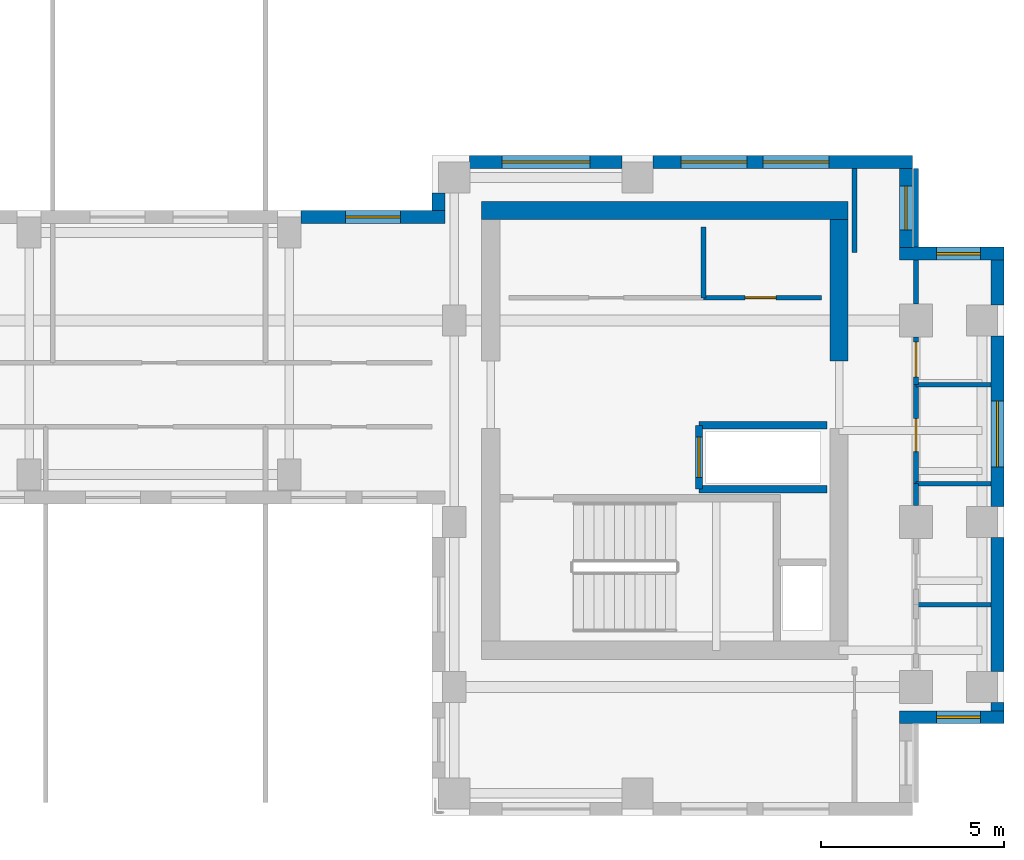
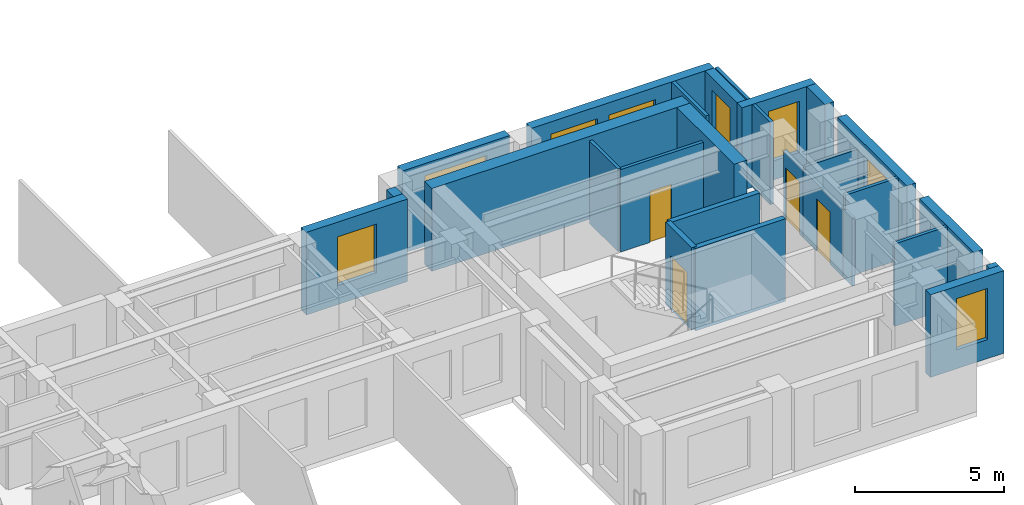
# One storey, part 7 of 10: 27 walls, 8 windows, 4 doors, 12 openings.
"""IFC4 building model written with IfcOpenShell, lengths in metres."""

from ifc_helpers import new_model, si_unit, direction, frame, frame_2d, origin, place, context, subcontext, project, spatial, rectangle, extrude, source, transform, mapped, material, layer, layer_set, type_object, element, fill, save


model = new_model("IFC4")

# Units and contexts
model_context = context("Model", 3, precision=1e-05, world=origin(), true_north=direction((0.0, 1.0)))
body_context = subcontext(model_context, "Body", "Model", "MODEL_VIEW")
ifc_project = project(units=[si_unit("LENGTHUNIT", "METRE"), si_unit("AREAUNIT", "SQUARE_METRE"), si_unit("VOLUMEUNIT", "CUBIC_METRE"), si_unit("PLANEANGLEUNIT", "RADIAN"), si_unit("MASSUNIT", "GRAM", prefix="KILO")], contexts=[model_context])

# Site, building, storey
site_placement = place(None, origin())
site = spatial("IfcSite", under=ifc_project, at=site_placement, CompositionType="ELEMENT")
building_placement = place(site_placement, origin())
building = spatial("IfcBuilding", under=site, at=building_placement, Name="Kharzan Plaza Tower", CompositionType="ELEMENT")
storey_placement = place(building_placement, frame((0.0, 0.0, 230.39990234375)))
storey = spatial("IfcBuildingStorey", under=building, at=storey_placement, Name="L62", CompositionType="ELEMENT", Elevation=230.39990234375)

# Wall, opening, window
ifc_material_1 = material(Name="Concrete C40/50", Category="concrete")
ifc_layer_1 = layer(ifc_material_1, 0.35009765625)
ifc_layer_set_1 = layer_set([ifc_layer_1], Name="Concrete C40/50")
wall_type_1 = type_object("IfcWallType", Name="WL-EXT-MAS-Z4", PredefinedType="SOLIDWALL", material=ifc_layer_set_1)
wall_1_placement = place(storey_placement, frame((47.14990234375, 2.675048828125, 0.0), z_axis=(0.0, 0.0, 1.0), x_axis=(1.0, 0.0, 0.0)))
wall_1 = element("IfcWall", 1, at=wall_1_placement, inside=storey, type_object=wall_type_1, Name="L62 Masonry-Frame Exterior Wall 38", PredefinedType="SOLIDWALL", context=body_context, shape_type="SweptSolid", body=[
    extrude(rectangle(XDim=2.85009765625, YDim=0.35009765625, at=frame_2d((1.425048828125, 0.0))), origin(), (0.0, 0.0, 1.0), 3.385009765625),
])
opening_1_placement = place(wall_1_placement, frame((1.014892578125, 0.0, 0.780029296875)))
opening_1 = element("IfcOpeningElement", 2, at=opening_1_placement, cuts=wall_1, Name="Opening W3", PredefinedType="OPENING", context=body_context, shape_type="SweptSolid", body=[
    extrude(rectangle(XDim=1.199951171875, YDim=2.10009765625, at=frame_2d((0.60009765625, 1.050048828125))), frame((0.0, 0.18505859375, 0.0), z_axis=(0.0, -1.0, 0.0), x_axis=(1.0, 0.0, 0.0)), (0.0, 0.0, 1.0), 0.3701171875),
])
ifc_material_2 = material(Name="Low-E Double Glazing", Category="glass")
window_type_1 = type_object("IfcWindowType", Name="WN-REC-1200x2100", PartitioningType="SINGLE_PANEL", PredefinedType="WINDOW", material=ifc_material_2)
shared_shape_1 = source(origin(), body_context, "Body", "SweptSolid", [
    extrude(rectangle(XDim=1.199951171875, YDim=2.10009765625, at=frame_2d((0.60009765625, 1.050048828125))), frame((0.0, 0.030029296875, 0.0), z_axis=(0.0, -1.0, 0.0), x_axis=(1.0, 0.0, 0.0)), (0.0, 0.0, 1.0), 0.06005859375),
])
window_1_placement = place(opening_1_placement, origin())
window_1 = element("IfcWindow", 3, at=window_1_placement, inside=storey, type_object=window_type_1, Name="L62 Recessed Solar-Control Window 38-1", OverallHeight=2.10009765625, OverallWidth=1.199951171875, PartitioningType="SINGLE_PANEL", PredefinedType="WINDOW", context=body_context, shape_type="MappedRepresentation", body=[
    mapped(shared_shape_1, transform((0.0, 0.0, 0.0), x_axis=(1.0, 0.0, 0.0), y_axis=(0.0, 1.0, 0.0), z_axis=(0.0, 0.0, 1.0))),
])
fill(opening_1, window_1)

wall_2_placement = place(storey_placement, frame((49.824951171875, 8.423095703125, 0.0), z_axis=(0.0, 0.0, 1.0), x_axis=(0.0, 1.0, 0.0)))
wall_2 = element("IfcWall", 4, at=wall_2_placement, inside=storey, type_object=wall_type_1, Name="L62 Masonry-Frame Exterior Wall 41", PredefinedType="SOLIDWALL", context=body_context, shape_type="SweptSolid", body=[
    extrude(rectangle(XDim=4.65380859375, YDim=0.35009765625, at=frame_2d((2.326904296875, 0.0))), origin(), (0.0, 0.0, 1.0), 3.385009765625),
])
opening_2_placement = place(wall_2_placement, frame((1.076904296875, 0.0, 0.780029296875)))
opening_2 = element("IfcOpeningElement", 5, at=opening_2_placement, cuts=wall_2, Name="Opening W1", PredefinedType="OPENING", context=body_context, shape_type="SweptSolid", body=[
    extrude(rectangle(XDim=1.800048828125, YDim=2.10009765625, at=frame_2d((0.89990234375, 1.050048828125))), frame((0.0, 0.18505859375, 0.0), z_axis=(0.0, -1.0, 0.0), x_axis=(1.0, 0.0, 0.0)), (0.0, 0.0, 1.0), 0.3701171875),
])
window_type_2 = type_object("IfcWindowType", Name="WN-REC-1800x2100", PartitioningType="SINGLE_PANEL", PredefinedType="WINDOW", material=ifc_material_2)
shared_shape_2 = source(origin(), body_context, "Body", "SweptSolid", [
    extrude(rectangle(XDim=1.800048828125, YDim=2.10009765625, at=frame_2d((0.89990234375, 1.050048828125))), frame((0.0, 0.030029296875, 0.0), z_axis=(0.0, -1.0, 0.0), x_axis=(1.0, 0.0, 0.0)), (0.0, 0.0, 1.0), 0.06005859375),
])
window_2_placement = place(opening_2_placement, origin())
window_2 = element("IfcWindow", 6, at=window_2_placement, inside=storey, type_object=window_type_2, Name="L62 Recessed Solar-Control Window 41-1", OverallHeight=2.10009765625, OverallWidth=1.800048828125, PartitioningType="SINGLE_PANEL", PredefinedType="WINDOW", context=body_context, shape_type="MappedRepresentation", body=[
    mapped(shared_shape_2, transform((0.0, 0.0, 0.0), x_axis=(1.0, 0.0, 0.0), y_axis=(0.0, 1.0, 0.0), z_axis=(0.0, 0.0, 1.0))),
])
fill(opening_2, window_2)

wall_3_placement = place(storey_placement, frame((50.0, 15.324951171875, 0.0), z_axis=(0.0, 0.0, 1.0), x_axis=(-1.0, 0.0, 0.0)))
wall_3 = element("IfcWall", 7, at=wall_3_placement, inside=storey, type_object=wall_type_1, Name="L62 Masonry-Frame Exterior Wall 43", PredefinedType="SOLIDWALL", context=body_context, shape_type="SweptSolid", body=[
    extrude(rectangle(XDim=2.85009765625, YDim=0.35009765625, at=frame_2d((1.425048828125, 0.0))), origin(), (0.0, 0.0, 1.0), 3.385009765625),
])
opening_3_placement = place(wall_3_placement, frame((0.635009765625, 0.0, 0.780029296875)))
opening_3 = element("IfcOpeningElement", 8, at=opening_3_placement, cuts=wall_3, Name="Opening W3", PredefinedType="OPENING", context=body_context, shape_type="SweptSolid", body=[
    extrude(rectangle(XDim=1.199951171875, YDim=2.10009765625, at=frame_2d((0.60009765625, 1.050048828125))), frame((0.0, 0.18505859375, 0.0), z_axis=(0.0, -1.0, 0.0), x_axis=(1.0, 0.0, 0.0)), (0.0, 0.0, 1.0), 0.3701171875),
])
window_3_placement = place(opening_3_placement, origin())
window_3 = element("IfcWindow", 9, at=window_3_placement, inside=storey, type_object=window_type_1, Name="L62 Recessed Solar-Control Window 43-1", OverallHeight=2.10009765625, OverallWidth=1.199951171875, PartitioningType="SINGLE_PANEL", PredefinedType="WINDOW", context=body_context, shape_type="MappedRepresentation", body=[
    mapped(shared_shape_1, transform((0.0, 0.0, 0.0), x_axis=(1.0, 0.0, 0.0), y_axis=(0.0, 1.0, 0.0), z_axis=(0.0, 0.0, 1.0))),
])
fill(opening_3, window_3)

wall_4_placement = place(storey_placement, frame((47.324951171875, 15.498046875, 0.0), z_axis=(0.0, 0.0, 1.0), x_axis=(0.0, 1.0, 0.0)))
wall_4 = element("IfcWall", 10, at=wall_4_placement, inside=storey, type_object=wall_type_1, Name="L62 Masonry-Frame Exterior Wall 44", PredefinedType="SOLIDWALL", context=body_context, shape_type="SweptSolid", body=[
    extrude(rectangle(XDim=2.154052734375, YDim=0.35009765625, at=frame_2d((1.0771484375, 0.0))), origin(), (0.0, 0.0, 1.0), 3.385009765625),
])
opening_4_placement = place(wall_4_placement, frame((0.47705078125, 0.0, 0.780029296875)))
opening_4 = element("IfcOpeningElement", 11, at=opening_4_placement, cuts=wall_4, Name="Opening W3", PredefinedType="OPENING", context=body_context, shape_type="SweptSolid", body=[
    extrude(rectangle(XDim=1.199951171875, YDim=2.10009765625, at=frame_2d((0.60009765625, 1.050048828125))), frame((0.0, 0.18505859375, 0.0), z_axis=(0.0, -1.0, 0.0), x_axis=(1.0, 0.0, 0.0)), (0.0, 0.0, 1.0), 0.3701171875),
])
window_4_placement = place(opening_4_placement, origin())
window_4 = element("IfcWindow", 12, at=window_4_placement, inside=storey, type_object=window_type_1, Name="L62 Recessed Solar-Control Window 44-1", OverallHeight=2.10009765625, OverallWidth=1.199951171875, PartitioningType="SINGLE_PANEL", PredefinedType="WINDOW", context=body_context, shape_type="MappedRepresentation", body=[
    mapped(shared_shape_1, transform((0.0, 0.0, 0.0), x_axis=(1.0, 0.0, 0.0), y_axis=(0.0, 1.0, 0.0), z_axis=(0.0, 0.0, 1.0))),
])
fill(opening_4, window_4)

# Wall, openings, windows
wall_5_placement = place(storey_placement, frame((47.5, 17.824951171875, 0.0), z_axis=(0.0, 0.0, 1.0), x_axis=(-1.0, 0.0, 0.0)))
wall_5 = element("IfcWall", 13, at=wall_5_placement, inside=storey, type_object=wall_type_1, Name="L62 Masonry-Frame Exterior Wall 45", PredefinedType="SOLIDWALL", context=body_context, shape_type="SweptSolid", body=[
    extrude(rectangle(XDim=7.076904296875, YDim=0.35009765625, at=frame_2d((3.53857421875, 0.0))), origin(), (0.0, 0.0, 1.0), 3.385009765625),
])
opening_5_placement = place(wall_5_placement, frame((2.272216796875, 0.0, 0.780029296875)))
opening_5 = element("IfcOpeningElement", 14, at=opening_5_placement, cuts=wall_5, Name="Opening W1", PredefinedType="OPENING", context=body_context, shape_type="SweptSolid", body=[
    extrude(rectangle(XDim=1.800048828125, YDim=2.10009765625, at=frame_2d((0.89990234375, 1.050048828125))), frame((0.0, 0.18505859375, 0.0), z_axis=(0.0, -1.0, 0.0), x_axis=(1.0, 0.0, 0.0)), (0.0, 0.0, 1.0), 0.3701171875),
])
opening_6_placement = place(wall_5_placement, frame((4.5146484375, 0.0, 0.780029296875)))
opening_6 = element("IfcOpeningElement", 15, at=opening_6_placement, cuts=wall_5, Name="Opening W1", PredefinedType="OPENING", context=body_context, shape_type="SweptSolid", body=[
    extrude(rectangle(XDim=1.800048828125, YDim=2.10009765625, at=frame_2d((0.89990234375, 1.050048828125))), frame((0.0, 0.18505859375, 0.0), z_axis=(0.0, -1.0, 0.0), x_axis=(1.0, 0.0, 0.0)), (0.0, 0.0, 1.0), 0.3701171875),
])
window_5_placement = place(opening_5_placement, origin())
window_5 = element("IfcWindow", 16, at=window_5_placement, inside=storey, type_object=window_type_2, Name="L62 Recessed Solar-Control Window 45-1", OverallHeight=2.10009765625, OverallWidth=1.800048828125, PartitioningType="SINGLE_PANEL", PredefinedType="WINDOW", context=body_context, shape_type="MappedRepresentation", body=[
    mapped(shared_shape_2, transform((0.0, 0.0, 0.0), x_axis=(1.0, 0.0, 0.0), y_axis=(0.0, 1.0, 0.0), z_axis=(0.0, 0.0, 1.0))),
])
fill(opening_5, window_5)
window_6_placement = place(opening_6_placement, origin())
window_6 = element("IfcWindow", 17, at=window_6_placement, inside=storey, type_object=window_type_2, Name="L62 Recessed Solar-Control Window 45-2", OverallHeight=2.10009765625, OverallWidth=1.800048828125, PartitioningType="SINGLE_PANEL", PredefinedType="WINDOW", context=body_context, shape_type="MappedRepresentation", body=[
    mapped(shared_shape_2, transform((0.0, 0.0, 0.0), x_axis=(1.0, 0.0, 0.0), y_axis=(0.0, 1.0, 0.0), z_axis=(0.0, 0.0, 1.0))),
])
fill(opening_6, window_6)

# Wall, opening, window
wall_6_placement = place(storey_placement, frame((39.576904296875, 17.824951171875, 0.0), z_axis=(0.0, 0.0, 1.0), x_axis=(-1.0, 0.0, 0.0)))
wall_6 = element("IfcWall", 18, at=wall_6_placement, inside=storey, type_object=wall_type_1, Name="L62 Masonry-Frame Exterior Wall 46", PredefinedType="SOLIDWALL", context=body_context, shape_type="SweptSolid", body=[
    extrude(rectangle(XDim=4.15380859375, YDim=0.35009765625, at=frame_2d((2.076904296875, 0.0))), origin(), (0.0, 0.0, 1.0), 3.385009765625),
])
opening_7_placement = place(wall_6_placement, frame((0.876953125, 0.0, 0.780029296875)))
opening_7 = element("IfcOpeningElement", 19, at=opening_7_placement, cuts=wall_6, Name="Opening W2", PredefinedType="OPENING", context=body_context, shape_type="SweptSolid", body=[
    extrude(rectangle(XDim=2.39990234375, YDim=2.10009765625, at=frame_2d((1.199951171875, 1.050048828125))), frame((0.0, 0.18505859375, 0.0), z_axis=(0.0, -1.0, 0.0), x_axis=(1.0, 0.0, 0.0)), (0.0, 0.0, 1.0), 0.3701171875),
])
window_type_3 = type_object("IfcWindowType", Name="WN-REC-2400x2100", PartitioningType="SINGLE_PANEL", PredefinedType="WINDOW", material=ifc_material_2)
shared_shape_3 = source(origin(), body_context, "Body", "SweptSolid", [
    extrude(rectangle(XDim=2.39990234375, YDim=2.10009765625, at=frame_2d((1.199951171875, 1.050048828125))), frame((0.0, 0.030029296875, 0.0), z_axis=(0.0, -1.0, 0.0), x_axis=(1.0, 0.0, 0.0)), (0.0, 0.0, 1.0), 0.06005859375),
])
window_7_placement = place(opening_7_placement, origin())
window_7 = element("IfcWindow", 20, at=window_7_placement, inside=storey, type_object=window_type_3, Name="L62 Wide Recessed Solar-Control Window 46-1", OverallHeight=2.10009765625, OverallWidth=2.39990234375, PartitioningType="SINGLE_PANEL", PredefinedType="WINDOW", context=body_context, shape_type="MappedRepresentation", body=[
    mapped(shared_shape_3, transform((0.0, 0.0, 0.0), x_axis=(1.0, 0.0, 0.0), y_axis=(0.0, 1.0, 0.0), z_axis=(0.0, 0.0, 1.0))),
])
fill(opening_7, window_7)

wall_7_placement = place(storey_placement, frame((34.75, 16.324951171875, 0.0), z_axis=(0.0, 0.0, 1.0), x_axis=(-1.0, 0.0, 0.0)))
wall_7 = element("IfcWall", 21, at=wall_7_placement, inside=storey, type_object=wall_type_1, Name="L62 Masonry-Frame Exterior Wall 48", PredefinedType="SOLIDWALL", context=body_context, shape_type="SweptSolid", body=[
    extrude(rectangle(XDim=3.927001953125, YDim=0.35009765625, at=frame_2d((1.96337890625, 0.0))), origin(), (0.0, 0.0, 1.0), 3.385009765625),
])
opening_8_placement = place(wall_7_placement, frame((1.21337890625, 0.0, 0.780029296875)))
opening_8 = element("IfcOpeningElement", 22, at=opening_8_placement, cuts=wall_7, Name="Opening W5", PredefinedType="OPENING", context=body_context, shape_type="SweptSolid", body=[
    extrude(rectangle(XDim=1.5, YDim=2.0, at=frame_2d((0.75, 1.0))), frame((0.0, 0.18505859375, 0.0), z_axis=(0.0, -1.0, 0.0), x_axis=(1.0, 0.0, 0.0)), (0.0, 0.0, 1.0), 0.3701171875),
])
window_type_4 = type_object("IfcWindowType", Name="WN-SLT-1500x2000", PartitioningType="SINGLE_PANEL", PredefinedType="WINDOW", material=ifc_material_2)
shared_shape_4 = source(origin(), body_context, "Body", "SweptSolid", [
    extrude(rectangle(XDim=1.5, YDim=2.0, at=frame_2d((0.75, 1.0))), frame((0.0, 0.030029296875, 0.0), z_axis=(0.0, -1.0, 0.0), x_axis=(1.0, 0.0, 0.0)), (0.0, 0.0, 1.0), 0.06005859375),
])
window_8_placement = place(opening_8_placement, origin())
window_8 = element("IfcWindow", 23, at=window_8_placement, inside=storey, type_object=window_type_4, Name="L62 Recessed Solar-Control Window 48-1", OverallHeight=2.0, OverallWidth=1.5, PartitioningType="SINGLE_PANEL", PredefinedType="WINDOW", context=body_context, shape_type="MappedRepresentation", body=[
    mapped(shared_shape_4, transform((0.0, 0.0, 0.0), x_axis=(1.0, 0.0, 0.0), y_axis=(0.0, 1.0, 0.0), z_axis=(0.0, 0.0, 1.0))),
])
fill(opening_8, window_8)

# Wall, opening, door
ifc_material_3 = material(Name="Fire-Rated Gypsum Board Partition", Category="gypsum")
ifc_layer_2 = layer(ifc_material_3, 0.125)
ifc_layer_set_2 = layer_set([ifc_layer_2], Name="Fire-Rated Gypsum Board Partition")
wall_type_2 = type_object("IfcWallType", Name="WL-INT-PART-125", PredefinedType="PARTITIONING", material=ifc_layer_set_2)
wall_8_placement = place(storey_placement, frame((41.800048828125, 14.1201171875, 0.0), z_axis=(0.0, 0.0, 1.0), x_axis=(1.0, 0.0, 0.0)))
wall_8 = element("IfcWall", 24, at=wall_8_placement, inside=storey, type_object=wall_type_2, Name="L62 Interior Partition CB-RBLSB", PredefinedType="PARTITIONING", context=body_context, shape_type="SweptSolid", body=[
    extrude(rectangle(XDim=3.219970703125, YDim=0.125, at=frame_2d((1.60986328125, 0.0))), origin(), (0.0, 0.0, 1.0), 3.385009765625),
])
opening_9_placement = place(wall_8_placement, frame((1.135009765625, 0.0, 0.0)))
opening_9 = element("IfcOpeningElement", 25, at=opening_9_placement, cuts=wall_8, Name="Opening RD1", PredefinedType="OPENING", context=body_context, shape_type="SweptSolid", body=[
    extrude(rectangle(XDim=0.85009765625, YDim=2.10009765625, at=frame_2d((0.425048828125, 1.050048828125))), frame((0.0, 0.072509765625, 0.0), z_axis=(0.0, -1.0, 0.0), x_axis=(1.0, 0.0, 0.0)), (0.0, 0.0, 1.0), 0.14501953125),
])
ifc_material_4 = material(Name="Powder-Coated Fire-Rated Steel", Category="steel")
door_type_1 = type_object("IfcDoorType", Name="DR-RISER-900", OperationType="NOTDEFINED", PredefinedType="DOOR", material=ifc_material_4)
shared_shape_5 = source(origin(), body_context, "Body", "SweptSolid", [
    extrude(rectangle(XDim=0.85009765625, YDim=2.10009765625, at=frame_2d((0.425048828125, 1.050048828125))), frame((0.0, 0.02490234375, 0.0), z_axis=(0.0, -1.0, 0.0), x_axis=(1.0, 0.0, 0.0)), (0.0, 0.0, 1.0), 0.050048828125),
])
door_1_placement = place(opening_9_placement, origin())
door_1 = element("IfcDoor", 26, at=door_1_placement, inside=storey, type_object=door_type_1, Name="L62 Housekeeping Store Door", OperationType="SINGLE_SWING_LEFT", OverallHeight=2.10009765625, OverallWidth=0.85009765625, PredefinedType="DOOR", context=body_context, shape_type="MappedRepresentation", body=[
    mapped(shared_shape_5, transform((0.0, 0.0, 0.0), x_axis=(1.0, 0.0, 0.0), y_axis=(0.0, 1.0, 0.0), z_axis=(0.0, 0.0, 1.0))),
])
fill(opening_9, door_1)

wall_9_placement = place(storey_placement, frame((47.60009765625, 11.75, 0.0), z_axis=(0.0, 0.0, 1.0), x_axis=(0.0, 1.0, 0.0)))
wall_9 = element("IfcWall", 27, at=wall_9_placement, inside=storey, type_object=wall_type_2, Name="L62 Interior Partition SH-B3W2-S1", PredefinedType="PARTITIONING", context=body_context, shape_type="SweptSolid", body=[
    extrude(rectangle(XDim=1.300048828125, YDim=0.125, at=frame_2d((0.64990234375, 0.0))), origin(), (0.0, 0.0, 1.0), 2.773193359375),
])
opening_10_placement = place(wall_9_placement, frame((0.2099609375, 0.0, 0.0)))
opening_10 = element("IfcOpeningElement", 28, at=opening_10_placement, cuts=wall_9, Name="Opening OD1", PredefinedType="OPENING", context=body_context, shape_type="SweptSolid", body=[
    extrude(rectangle(XDim=0.949951171875, YDim=2.14990234375, at=frame_2d((0.47509765625, 1.074951171875))), frame((0.0, 0.072509765625, 0.0), z_axis=(0.0, -1.0, 0.0), x_axis=(1.0, 0.0, 0.0)), (0.0, 0.0, 1.0), 0.14501953125),
])
ifc_material_5 = material(Name="Acoustic Solid-Core Stained Oak", Category="timber")
door_type_2 = type_object("IfcDoorType", Name="DR-OFF-SINGLE", OperationType="NOTDEFINED", PredefinedType="DOOR", material=ifc_material_5)
shared_shape_6 = source(origin(), body_context, "Body", "SweptSolid", [
    extrude(rectangle(XDim=0.949951171875, YDim=2.14990234375, at=frame_2d((0.47509765625, 1.074951171875))), frame((0.0, 0.02490234375, 0.0), z_axis=(0.0, -1.0, 0.0), x_axis=(1.0, 0.0, 0.0)), (0.0, 0.0, 1.0), 0.050048828125),
])
door_2_placement = place(opening_10_placement, origin())
door_2 = element("IfcDoor", 29, at=door_2_placement, inside=storey, type_object=door_type_2, Name="L62 Wing B Office 3 Door", OperationType="SINGLE_SWING_LEFT", OverallHeight=2.14990234375, OverallWidth=0.949951171875, PredefinedType="DOOR", context=body_context, shape_type="MappedRepresentation", body=[
    mapped(shared_shape_6, transform((0.0, 0.0, 0.0), x_axis=(1.0, 0.0, 0.0), y_axis=(0.0, 1.0, 0.0), z_axis=(0.0, 0.0, 1.0))),
])
fill(opening_10, door_2)

wall_10_placement = place(storey_placement, frame((47.60009765625, 9.050048828125, 0.0), z_axis=(0.0, 0.0, 1.0), x_axis=(0.0, 1.0, 0.0)))
wall_10 = element("IfcWall", 30, at=wall_10_placement, inside=storey, type_object=wall_type_2, Name="L62 Interior Partition SH-B3WC", PredefinedType="PARTITIONING", context=body_context, shape_type="SweptSolid", body=[
    extrude(rectangle(XDim=2.699951171875, YDim=0.125, at=frame_2d((1.35009765625, 0.0))), origin(), (0.0, 0.0, 1.0), 2.773193359375),
])
opening_11_placement = place(wall_10_placement, frame((0.875, 0.0, 0.0)))
opening_11 = element("IfcOpeningElement", 31, at=opening_11_placement, cuts=wall_10, Name="Opening WD1", PredefinedType="OPENING", context=body_context, shape_type="SweptSolid", body=[
    extrude(rectangle(XDim=0.89990234375, YDim=2.14990234375, at=frame_2d((0.449951171875, 1.074951171875))), frame((0.0, 0.072509765625, 0.0), z_axis=(0.0, -1.0, 0.0), x_axis=(1.0, 0.0, 0.0)), (0.0, 0.0, 1.0), 0.14501953125),
])
ifc_material_6 = material(Name="Moisture-Resistant Fire-Rated Laminate", Category="timber")
door_type_3 = type_object("IfcDoorType", Name="DR-WC-900", OperationType="NOTDEFINED", PredefinedType="DOOR", material=ifc_material_6)
shared_shape_7 = source(origin(), body_context, "Body", "SweptSolid", [
    extrude(rectangle(XDim=0.89990234375, YDim=2.14990234375, at=frame_2d((0.449951171875, 1.074951171875))), frame((0.0, 0.02490234375, 0.0), z_axis=(0.0, -1.0, 0.0), x_axis=(1.0, 0.0, 0.0)), (0.0, 0.0, 1.0), 0.050048828125),
])
door_3_placement = place(opening_11_placement, origin())
door_3 = element("IfcDoor", 32, at=door_3_placement, inside=storey, type_object=door_type_3, Name="L62 Wing B Washroom Door", OperationType="SINGLE_SWING_RIGHT", OverallHeight=2.14990234375, OverallWidth=0.89990234375, PredefinedType="DOOR", context=body_context, shape_type="MappedRepresentation", body=[
    mapped(shared_shape_7, transform((0.0, 0.0, 0.0), x_axis=(1.0, 0.0, 0.0), y_axis=(0.0, 1.0, 0.0), z_axis=(0.0, 0.0, 1.0))),
])
fill(opening_11, door_3)

ifc_layer_3 = layer(ifc_material_1, 0.199951171875)
ifc_layer_set_3 = layer_set([ifc_layer_3], Name="Concrete C40/50")
wall_type_3 = type_object("IfcWallType", Name="WL-INT-SHAFT-200", PredefinedType="PARTITIONING", material=ifc_layer_set_3)
wall_11_placement = place(storey_placement, frame((41.679931640625, 8.89990234375, 0.0), z_axis=(0.0, 0.0, 1.0), x_axis=(0.0, 1.0, 0.0)))
wall_11 = element("IfcWall", 33, at=wall_11_placement, inside=storey, type_object=wall_type_3, Name="L62 Interior Partition SHF-SVL-2-W", PredefinedType="PARTITIONING", context=body_context, shape_type="SweptSolid", body=[
    extrude(rectangle(XDim=1.739990234375, YDim=0.199951171875, at=frame_2d((0.8701171875, 0.0))), origin(), (0.0, 0.0, 1.0), 3.385009765625),
])
opening_12_placement = place(wall_11_placement, frame((0.320068359375, 0.0, 0.0)))
opening_12 = element("IfcOpeningElement", 34, at=opening_12_placement, cuts=wall_11, Name="Opening LD", PredefinedType="OPENING", context=body_context, shape_type="SweptSolid", body=[
    extrude(rectangle(XDim=1.10009765625, YDim=2.199951171875, at=frame_2d((0.550048828125, 1.10009765625))), frame((0.0, 0.10986328125, 0.0), z_axis=(0.0, -1.0, 0.0), x_axis=(1.0, 0.0, 0.0)), (0.0, 0.0, 1.0), 0.219970703125),
])
ifc_material_7 = material(Name="Brushed Stainless Steel", Category="steel")
door_type_4 = type_object("IfcDoorType", Name="DR-LIFT-SLIDE", OperationType="SLIDING_TO_LEFT", PredefinedType="DOOR", material=ifc_material_7)
shared_shape_8 = source(origin(), body_context, "Body", "SweptSolid", [
    extrude(rectangle(XDim=1.10009765625, YDim=2.199951171875, at=frame_2d((0.550048828125, 1.10009765625))), frame((0.0, 0.02490234375, 0.0), z_axis=(0.0, -1.0, 0.0), x_axis=(1.0, 0.0, 0.0)), (0.0, 0.0, 1.0), 0.050048828125),
])
door_4_placement = place(opening_12_placement, origin())
door_4 = element("IfcDoor", 35, at=door_4_placement, inside=storey, type_object=door_type_4, Name="L62 Service Lift SVL-2 Sliding Landing Door", OperationType="SLIDING_TO_LEFT", OverallHeight=2.199951171875, OverallWidth=1.10009765625, PredefinedType="DOOR", context=body_context, shape_type="MappedRepresentation", body=[
    mapped(shared_shape_8, transform((0.0, 0.0, 0.0), x_axis=(1.0, 0.0, 0.0), y_axis=(0.0, 1.0, 0.0), z_axis=(0.0, 0.0, 1.0))),
])
fill(opening_12, door_4)

# Walls
shared_shape_9 = source(origin(), body_context, "Body", "SweptSolid", [
    extrude(rectangle(XDim=1.929931640625, YDim=0.125, at=frame_2d((0.96484375, 0.0))), origin(), (0.0, 0.0, 1.0), 3.385009765625),
])
wall_12_placement = place(storey_placement, frame((41.800048828125, 14.1201171875, 0.0), z_axis=(0.0, 0.0, 1.0), x_axis=(0.0, 1.0, 0.0)))
element("IfcWall", 36, at=wall_12_placement, inside=storey, type_object=wall_type_2, Name="L62 Interior Partition CB-RBLM2", PredefinedType="PARTITIONING", context=body_context, shape_type="MappedRepresentation", body=[
    mapped(shared_shape_9, transform((0.0, 0.0, 0.0), x_axis=(1.0, 0.0, 0.0), y_axis=(0.0, 1.0, 0.0), z_axis=(0.0, 0.0, 1.0))),
])
shared_shape_10 = source(origin(), body_context, "Body", "SweptSolid", [
    extrude(rectangle(XDim=2.2978515625, YDim=0.125, at=frame_2d((1.14892578125, 0.0))), origin(), (0.0, 0.0, 1.0), 3.385009765625),
])
wall_13_placement = place(storey_placement, frame((45.919921875, 15.35009765625, 0.0), z_axis=(0.0, 0.0, 1.0), x_axis=(0.0, 1.0, 0.0)))
element("IfcWall", 37, at=wall_13_placement, inside=storey, type_object=wall_type_2, Name="L62 Interior Partition SH-RBNE0", PredefinedType="PARTITIONING", context=body_context, shape_type="MappedRepresentation", body=[
    mapped(shared_shape_10, transform((0.0, 0.0, 0.0), x_axis=(1.0, 0.0, 0.0), y_axis=(0.0, 1.0, 0.0), z_axis=(0.0, 0.0, 1.0))),
])
shared_shape_11 = source(origin(), body_context, "Body", "SweptSolid", [
    extrude(rectangle(XDim=3.489990234375, YDim=0.199951171875, at=frame_2d((1.7451171875, 0.0))), origin(), (0.0, 0.0, 1.0), 3.385009765625),
])
for number, where, z_axis, x_axis, name in (
    (38, (41.679931640625, 10.639892578125, 0.0), (0.0, 0.0, 1.0), (1.0, 0.0, 0.0), "L62 Interior Partition SHF-SVL-2-N"),
    (39, (41.679931640625, 8.89990234375, 0.0), (0.0, 0.0, 1.0), (1.0, 0.0, 0.0), "L62 Interior Partition SHF-SVL-2-S"),
):
    element("IfcWall", number, at=place(storey_placement, frame(where, z_axis=z_axis, x_axis=x_axis)), inside=storey, type_object=wall_type_3, Name=name, PredefinedType="PARTITIONING", context=body_context, shape_type="MappedRepresentation", body=[
        mapped(shared_shape_11, transform((0.0, 0.0, 0.0), x_axis=(1.0, 0.0, 0.0), y_axis=(0.0, 1.0, 0.0), z_axis=(0.0, 0.0, 1.0))),
    ])
ifc_material_8 = material(Name="Concrete C50/60", Category="concrete")
ifc_layer_4 = layer(ifc_material_8, 0.5)
ifc_layer_set_4 = layer_set([ifc_layer_4], Name="Concrete C50/60")
wall_type_4 = type_object("IfcWallType", Name="WL-CORE-500", PredefinedType="SHEAR", material=ifc_layer_set_4)
shared_shape_12 = source(origin(), body_context, "Body", "SweptSolid", [
    extrude(rectangle(XDim=3.85009765625, YDim=0.5, at=frame_2d((1.925048828125, 0.0))), origin(), (0.0, 0.0, 1.0), 3.400146484375),
])
wall_14_placement = place(storey_placement, frame((45.5, 12.39990234375, 0.0), z_axis=(0.0, 0.0, 1.0), x_axis=(0.0, 1.0, 0.0)))
element("IfcWall", 40, at=wall_14_placement, inside=storey, type_object=wall_type_4, Name="L62 CORE-B east shear pier 2", PredefinedType="SHEAR", context=body_context, shape_type="MappedRepresentation", body=[
    mapped(shared_shape_12, transform((0.0, 0.0, 0.0), x_axis=(1.0, 0.0, 0.0), y_axis=(0.0, 1.0, 0.0), z_axis=(0.0, 0.0, 1.0))),
])
shared_shape_13 = source(origin(), body_context, "Body", "SweptSolid", [
    extrude(rectangle(XDim=10.0, YDim=0.5, at=frame_2d((5.0, 0.0))), origin(), (0.0, 0.0, 1.0), 3.400146484375),
])
wall_15_placement = place(storey_placement, frame((35.75, 16.5, 0.0), z_axis=(0.0, 0.0, 1.0), x_axis=(1.0, 0.0, 0.0)))
element("IfcWall", 41, at=wall_15_placement, inside=storey, type_object=wall_type_4, Name="L62 CORE-B north RC shear wall", PredefinedType="SHEAR", context=body_context, shape_type="MappedRepresentation", body=[
    mapped(shared_shape_13, transform((0.0, 0.0, 0.0), x_axis=(1.0, 0.0, 0.0), y_axis=(0.0, 1.0, 0.0), z_axis=(0.0, 0.0, 1.0))),
])
shared_shape_14 = source(origin(), body_context, "Body", "SweptSolid", [
    extrude(rectangle(XDim=0.22900390625, YDim=0.35009765625, at=frame_2d((0.114501953125, 0.0))), origin(), (0.0, 0.0, 1.0), 3.385009765625),
])
wall_16_placement = place(storey_placement, frame((49.824951171875, 2.847900390625, 0.0), z_axis=(0.0, 0.0, 1.0), x_axis=(0.0, 1.0, 0.0)))
element("IfcWall", 42, at=wall_16_placement, inside=storey, type_object=wall_type_1, Name="L62 Masonry-Frame Exterior Wall 39", PredefinedType="SOLIDWALL", context=body_context, shape_type="MappedRepresentation", body=[
    mapped(shared_shape_14, transform((0.0, 0.0, 0.0), x_axis=(1.0, 0.0, 0.0), y_axis=(0.0, 1.0, 0.0), z_axis=(0.0, 0.0, 1.0))),
])
shared_shape_15 = source(origin(), body_context, "Body", "SweptSolid", [
    extrude(rectangle(XDim=3.65380859375, YDim=0.35009765625, at=frame_2d((1.826904296875, 0.0))), origin(), (0.0, 0.0, 1.0), 3.385009765625),
])
wall_17_placement = place(storey_placement, frame((49.824951171875, 3.923095703125, 0.0), z_axis=(0.0, 0.0, 1.0), x_axis=(0.0, 1.0, 0.0)))
element("IfcWall", 43, at=wall_17_placement, inside=storey, type_object=wall_type_1, Name="L62 Masonry-Frame Exterior Wall 40", PredefinedType="SOLIDWALL", context=body_context, shape_type="MappedRepresentation", body=[
    mapped(shared_shape_15, transform((0.0, 0.0, 0.0), x_axis=(1.0, 0.0, 0.0), y_axis=(0.0, 1.0, 0.0), z_axis=(0.0, 0.0, 1.0))),
])
shared_shape_16 = source(origin(), body_context, "Body", "SweptSolid", [
    extrude(rectangle(XDim=1.22900390625, YDim=0.35009765625, at=frame_2d((0.614501953125, 0.0))), origin(), (0.0, 0.0, 1.0), 3.385009765625),
])
wall_18_placement = place(storey_placement, frame((49.824951171875, 13.923095703125, 0.0), z_axis=(0.0, 0.0, 1.0), x_axis=(0.0, 1.0, 0.0)))
element("IfcWall", 44, at=wall_18_placement, inside=storey, type_object=wall_type_1, Name="L62 Masonry-Frame Exterior Wall 42", PredefinedType="SOLIDWALL", context=body_context, shape_type="MappedRepresentation", body=[
    mapped(shared_shape_16, transform((0.0, 0.0, 0.0), x_axis=(1.0, 0.0, 0.0), y_axis=(0.0, 1.0, 0.0), z_axis=(0.0, 0.0, 1.0))),
])
shared_shape_17 = source(origin(), body_context, "Body", "SweptSolid", [
    extrude(rectangle(XDim=2.0478515625, YDim=0.125, at=frame_2d((1.02392578125, 0.0))), origin(), (0.0, 0.0, 1.0), 3.385009765625),
])
for number, where, z_axis, x_axis, name in (
    (45, (47.60009765625, 5.75, 0.0), (0.0, 0.0, 1.0), (1.0, 0.0, 0.0), "L62 Interior Partition SH-B3H-57"),
    (46, (47.60009765625, 9.050048828125, 0.0), (0.0, 0.0, 1.0), (1.0, 0.0, 0.0), "L62 Interior Partition SH-B3H-90"),
):
    element("IfcWall", number, at=place(storey_placement, frame(where, z_axis=z_axis, x_axis=x_axis)), inside=storey, type_object=wall_type_2, Name=name, PredefinedType="PARTITIONING", context=body_context, shape_type="MappedRepresentation", body=[
        mapped(shared_shape_17, transform((0.0, 0.0, 0.0), x_axis=(1.0, 0.0, 0.0), y_axis=(0.0, 1.0, 0.0), z_axis=(0.0, 0.0, 1.0))),
    ])
shared_shape_18 = source(origin(), body_context, "Body", "SweptSolid", [
    extrude(rectangle(XDim=2.14794921875, YDim=0.125, at=frame_2d((1.073974609375, 0.0))), origin(), (0.0, 0.0, 1.0), 3.385009765625),
])
wall_19_placement = place(storey_placement, frame((47.60009765625, 15.501953125, 0.0), z_axis=(0.0, 0.0, 1.0), x_axis=(0.0, 1.0, 0.0)))
element("IfcWall", 47, at=wall_19_placement, inside=storey, type_object=wall_type_2, Name="L62 Interior Partition SH-B3W2N", PredefinedType="PARTITIONING", context=body_context, shape_type="MappedRepresentation", body=[
    mapped(shared_shape_18, transform((0.0, 0.0, 0.0), x_axis=(1.0, 0.0, 0.0), y_axis=(0.0, 1.0, 0.0), z_axis=(0.0, 0.0, 1.0))),
])
shared_shape_19 = source(origin(), body_context, "Body", "SweptSolid", [
    extrude(rectangle(XDim=1.197998046875, YDim=0.125, at=frame_2d((0.59912109375, 0.0))), origin(), (0.0, 0.0, 1.0), 3.385009765625),
])
wall_20_placement = place(storey_placement, frame((47.60009765625, 13.949951171875, 0.0), z_axis=(0.0, 0.0, 1.0), x_axis=(0.0, 1.0, 0.0)))
element("IfcWall", 48, at=wall_20_placement, inside=storey, type_object=wall_type_2, Name="L62 Interior Partition SH-B3W2-S2", PredefinedType="PARTITIONING", context=body_context, shape_type="MappedRepresentation", body=[
    mapped(shared_shape_19, transform((0.0, 0.0, 0.0), x_axis=(1.0, 0.0, 0.0), y_axis=(0.0, 1.0, 0.0), z_axis=(0.0, 0.0, 1.0))),
])
shared_shape_20 = source(origin(), body_context, "Body", "SweptSolid", [
    extrude(rectangle(XDim=2.0478515625, YDim=0.125, at=frame_2d((1.02392578125, 0.0))), origin(), (0.0, 0.0, 1.0), 2.916015625),
])
wall_21_placement = place(storey_placement, frame((47.60009765625, 11.75, 0.0), z_axis=(0.0, 0.0, 1.0), x_axis=(1.0, 0.0, 0.0)))
element("IfcWall", 49, at=wall_21_placement, inside=storey, type_object=wall_type_2, Name="L62 Interior Partition SH-B3H-117", PredefinedType="PARTITIONING", context=body_context, shape_type="MappedRepresentation", body=[
    mapped(shared_shape_20, transform((0.0, 0.0, 0.0), x_axis=(1.0, 0.0, 0.0), y_axis=(0.0, 1.0, 0.0), z_axis=(0.0, 0.0, 1.0))),
])
shared_shape_21 = source(origin(), body_context, "Body", "SweptSolid", [
    extrude(rectangle(XDim=0.47900390625, YDim=0.35009765625, at=frame_2d((0.239501953125, 0.0))), origin(), (0.0, 0.0, 1.0), 3.385009765625),
])
wall_22_placement = place(storey_placement, frame((34.574951171875, 16.97705078125, 0.0), z_axis=(0.0, 0.0, 1.0), x_axis=(0.0, -1.0, 0.0)))
element("IfcWall", 50, at=wall_22_placement, inside=storey, type_object=wall_type_1, Name="L62 Masonry-Frame Exterior Wall 47", PredefinedType="SOLIDWALL", context=body_context, shape_type="MappedRepresentation", body=[
    mapped(shared_shape_21, transform((0.0, 0.0, 0.0), x_axis=(1.0, 0.0, 0.0), y_axis=(0.0, 1.0, 0.0), z_axis=(0.0, 0.0, 1.0))),
])
shared_shape_22 = source(origin(), body_context, "Body", "SweptSolid", [
    extrude(rectangle(XDim=0.60009765625, YDim=0.125, at=frame_2d((0.300048828125, 0.0))), origin(), (0.0, 0.0, 1.0), 2.773193359375),
])
wall_23_placement = place(storey_placement, frame((47.60009765625, 8.449951171875, 0.0), z_axis=(0.0, 0.0, 1.0), x_axis=(0.0, 1.0, 0.0)))
element("IfcWall", 51, at=wall_23_placement, inside=storey, type_object=wall_type_2, Name="L62 Interior Partition SH-B3W1-S2", PredefinedType="PARTITIONING", context=body_context, shape_type="MappedRepresentation", body=[
    mapped(shared_shape_22, transform((0.0, 0.0, 0.0), x_axis=(1.0, 0.0, 0.0), y_axis=(0.0, 1.0, 0.0), z_axis=(0.0, 0.0, 1.0))),
])

save(model, "model.ifc")
